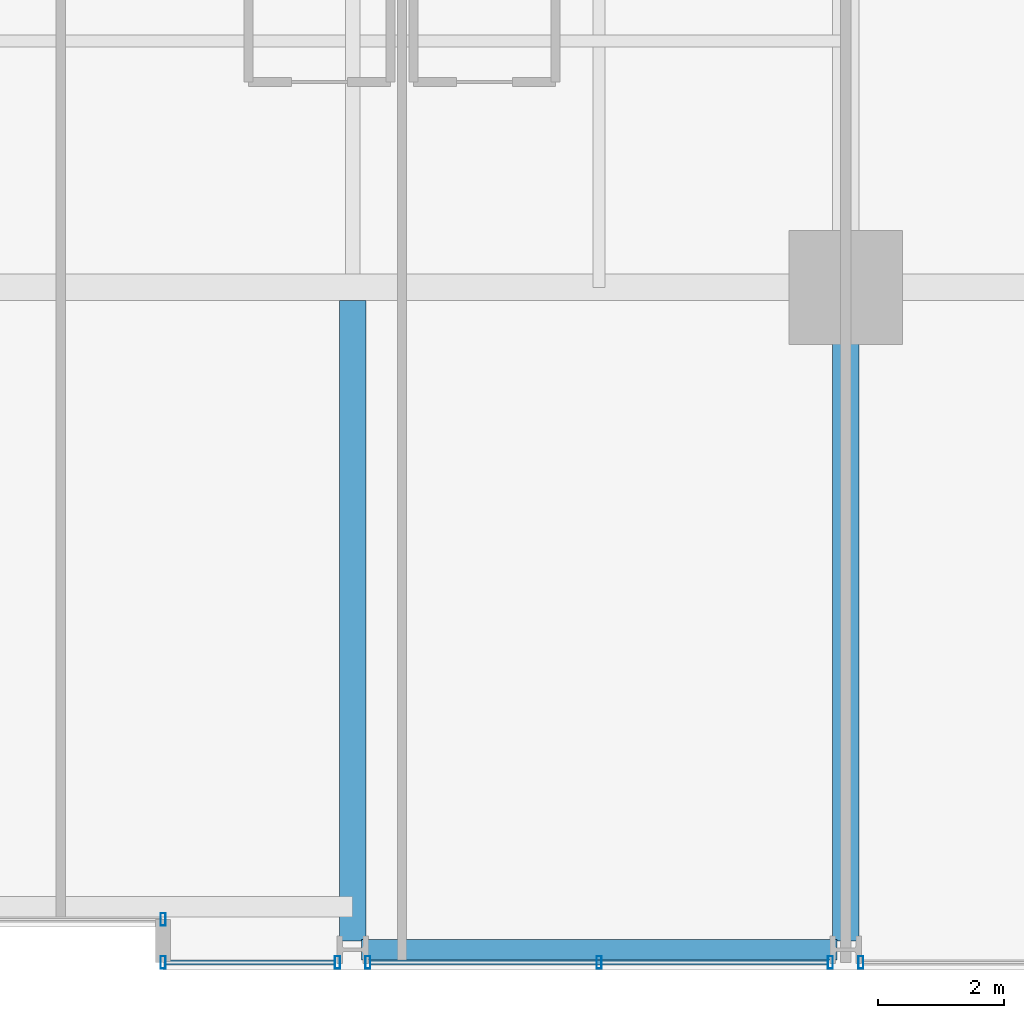
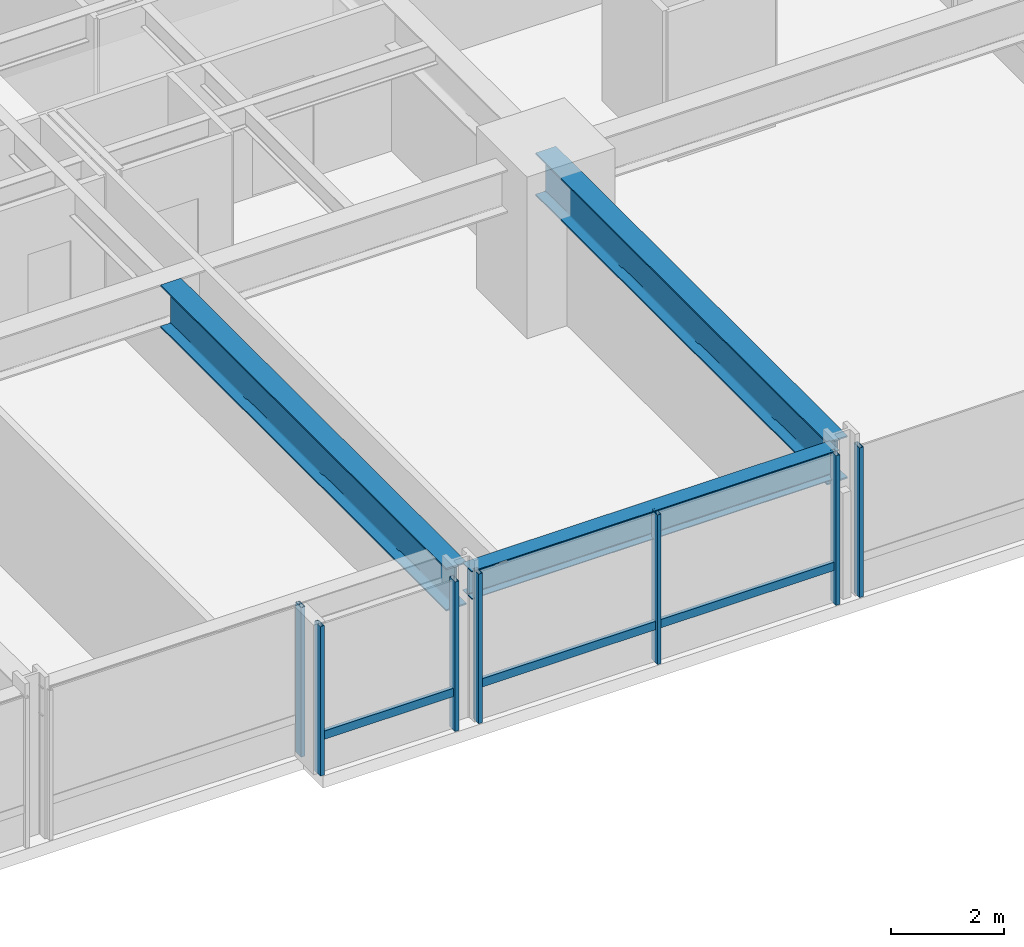
# One storey, part 11 of 39: 9 members, 3 beams, 4 elements without a shape of their own.
"""IFC4 building model written with IfcOpenShell, lengths in metres."""

from ifc_helpers import new_model, si_unit, direction, frame, origin, origin_2d, place, context, subcontext, project, spatial, hollow_rectangle, i_section, extrude, material, layer, layer_set, material_profile, profile_set, type_object, element, aggregate, save


model = new_model("IFC4")

# Units and contexts
model_context = context("Model", 3, precision=1e-05, world=origin(), true_north=direction((0.0, 1.0)))
body_context = subcontext(model_context, "Body", "Model", "MODEL_VIEW")
ifc_project = project(units=[si_unit("LENGTHUNIT", "METRE"), si_unit("AREAUNIT", "SQUARE_METRE"), si_unit("VOLUMEUNIT", "CUBIC_METRE"), si_unit("PLANEANGLEUNIT", "RADIAN"), si_unit("MASSUNIT", "GRAM", prefix="KILO")], contexts=[model_context])

# Site, building, storey
site_placement = place(None, origin())
site = spatial("IfcSite", under=ifc_project, at=site_placement, CompositionType="ELEMENT")
building_placement = place(site_placement, origin())
building = spatial("IfcBuilding", under=site, at=building_placement, Name="Drelvath Grand Hotel", CompositionType="ELEMENT")
storey_placement = place(building_placement, frame((0.0, 0.0, 54.199951171875)))
storey = spatial("IfcBuildingStorey", under=building, at=storey_placement, Name="L12", CompositionType="ELEMENT", Elevation=54.199951171875)

# Curtain wall, member
ifc_material_1 = material(Name="Warm Bronze Anodised Aluminium Frame", Category="aluminium")
ifc_layer = layer(ifc_material_1, 0.199951171875)
ifc_layer_set = layer_set([ifc_layer], Name="Warm Bronze Anodised Aluminium Frame")
curtain_wall_type = type_object("IfcCurtainWallType", Name="Stick Curtain Wall CW-02 Warm Bronze Low-Rise", PredefinedType="NOTDEFINED", material=ifc_layer_set)
curtain_wall_1_placement = place(storey_placement, origin())
curtain_wall_1 = element("IfcCurtainWall", 1, at=curtain_wall_1_placement, inside=storey, type_object=curtain_wall_type, Name="L12 CW-02 Curtain Wall CW02-L12-SE1", PredefinedType="NOTDEFINED")
ifc_material_profile_1 = material_profile(ifc_material_1, hollow_rectangle(XDim=0.074951171875, YDim=0.179931640625, WallThickness=0.0048828125, at=origin_2d()), Name="HSS180X75X5")
ifc_profile_set_1 = profile_set([ifc_material_profile_1], Name="Warm Bronze Anodised Aluminium Frame")
member_type_1 = type_object("IfcMemberType", Name="Curtain Wall Horizontal Transom CW-02 HSS180X75X5", PredefinedType="USERDEFINED", material=ifc_profile_set_1)
member_1_placement = place(storey_placement, frame((8.119140625, 0.1201171875, 0.81005859375), z_axis=(-1.0, 0.0, 0.0), x_axis=(0.0, -1.0, 0.0)))
member_1 = element("IfcMember", 2, at=member_1_placement, type_object=member_type_1, Name="CW02-L12-SE1 Sill Transom", ObjectType="TRANSOM", PredefinedType="USERDEFINED", context=body_context, shape_type="SweptSolid", body=[
    extrude(hollow_rectangle(XDim=0.074951171875, YDim=0.179931640625, WallThickness=0.0048828125, at=origin_2d()), origin(), (0.0, 0.0, 1.0), 2.67919921875),
])

curtain_wall_2_placement = place(storey_placement, origin())
curtain_wall_2 = element("IfcCurtainWall", 3, at=curtain_wall_2_placement, inside=storey, type_object=curtain_wall_type, Name="L12 CW-02 Curtain Wall CW02-L12-SE2", PredefinedType="NOTDEFINED")
member_2_placement = place(storey_placement, frame((15.919189453125, 0.1201171875, 0.81005859375), z_axis=(-1.0, 0.0, 0.0), x_axis=(0.0, -1.0, 0.0)))
member_2 = element("IfcMember", 4, at=member_2_placement, type_object=member_type_1, Name="CW02-L12-SE2 Sill Transom", ObjectType="TRANSOM", PredefinedType="USERDEFINED", context=body_context, shape_type="SweptSolid", body=[
    extrude(hollow_rectangle(XDim=0.074951171875, YDim=0.179931640625, WallThickness=0.0048828125, at=origin_2d()), origin(), (0.0, 0.0, 1.0), 7.23828125),
])

# Member
ifc_material_profile_2 = material_profile(ifc_material_1, hollow_rectangle(XDim=0.080078125, YDim=0.199951171875, WallThickness=0.0048828125, at=origin_2d()), Name="HSS200X80X5")
ifc_profile_set_2 = profile_set([ifc_material_profile_2], Name="Warm Bronze Anodised Aluminium Frame")
member_type_2 = type_object("IfcMemberType", Name="Curtain Wall Vertical Mullion CW-02 HSS200X80X5", PredefinedType="MULLION", material=ifc_profile_set_2)
member_3_placement = place(storey_placement, frame((8.1591796875, 0.1201171875, 0.0), z_axis=(0.0, 0.0, 1.0), x_axis=(1.0, 0.0, 0.0)))
member_3 = element("IfcMember", 5, at=member_3_placement, type_object=member_type_2, Name="CW02-L12-SE1 Mullion 1", PredefinedType="MULLION", context=body_context, shape_type="SweptSolid", body=[
    extrude(hollow_rectangle(XDim=0.080078125, YDim=0.199951171875, WallThickness=0.0048828125, at=origin_2d()), origin(), (0.0, 0.0, 1.0), 3.239990234375),
])

member_4_placement = place(storey_placement, frame((5.39990234375, 0.1201171875, 0.0), z_axis=(0.0, 0.0, 1.0), x_axis=(1.0, 0.0, 0.0)))
member_4 = element("IfcMember", 6, at=member_4_placement, type_object=member_type_2, Name="CW02-L12-SE1 Mullion 2", PredefinedType="MULLION", context=body_context, shape_type="SweptSolid", body=[
    extrude(hollow_rectangle(XDim=0.080078125, YDim=0.199951171875, WallThickness=0.0048828125, at=origin_2d()), origin(), (0.0, 0.0, 1.0), 3.239990234375),
])

aggregate(curtain_wall_1, [member_3, member_4, member_1])

member_5_placement = place(storey_placement, frame((15.958984375, 0.1201171875, 0.0), z_axis=(0.0, 0.0, 1.0), x_axis=(1.0, 0.0, 0.0)))
member_5 = element("IfcMember", 7, at=member_5_placement, type_object=member_type_2, Name="CW02-L12-SE2 Mullion 1", PredefinedType="MULLION", context=body_context, shape_type="SweptSolid", body=[
    extrude(hollow_rectangle(XDim=0.080078125, YDim=0.199951171875, WallThickness=0.0048828125, at=origin_2d()), origin(), (0.0, 0.0, 1.0), 3.239990234375),
])

member_6_placement = place(storey_placement, frame((12.300048828125, 0.1201171875, 0.0), z_axis=(0.0, 0.0, 1.0), x_axis=(1.0, 0.0, 0.0)))
member_6 = element("IfcMember", 8, at=member_6_placement, type_object=member_type_2, Name="CW02-L12-SE2 Mullion 2", PredefinedType="MULLION", context=body_context, shape_type="SweptSolid", body=[
    extrude(hollow_rectangle(XDim=0.080078125, YDim=0.199951171875, WallThickness=0.0048828125, at=origin_2d()), origin(), (0.0, 0.0, 1.0), 3.239990234375),
])

member_7_placement = place(storey_placement, frame((8.640869140625, 0.1201171875, 0.0), z_axis=(0.0, 0.0, 1.0), x_axis=(1.0, 0.0, 0.0)))
member_7 = element("IfcMember", 9, at=member_7_placement, type_object=member_type_2, Name="CW02-L12-SE2 Mullion 3", PredefinedType="MULLION", context=body_context, shape_type="SweptSolid", body=[
    extrude(hollow_rectangle(XDim=0.080078125, YDim=0.199951171875, WallThickness=0.0048828125, at=origin_2d()), origin(), (0.0, 0.0, 1.0), 3.239990234375),
])

aggregate(curtain_wall_2, [member_5, member_6, member_7, member_2])

# Curtain wall, member
curtain_wall_3_placement = place(storey_placement, origin())
curtain_wall_3 = element("IfcCurtainWall", 10, at=curtain_wall_3_placement, inside=storey, type_object=curtain_wall_type, Name="L12 CW-02 Curtain Wall CW02-L12-SE3", PredefinedType="NOTDEFINED")
member_8_placement = place(storey_placement, frame((16.44091796875, 0.1201171875, 0.0), z_axis=(0.0, 0.0, 1.0), x_axis=(1.0, 0.0, 0.0)))
member_8 = element("IfcMember", 11, at=member_8_placement, type_object=member_type_2, Name="CW02-L12-SE3 Mullion 3", PredefinedType="MULLION", context=body_context, shape_type="SweptSolid", body=[
    extrude(hollow_rectangle(XDim=0.080078125, YDim=0.199951171875, WallThickness=0.0048828125, at=origin_2d()), origin(), (0.0, 0.0, 1.0), 3.239990234375),
])
aggregate(curtain_wall_3, [member_8])

curtain_wall_4_placement = place(storey_placement, origin())
curtain_wall_4 = element("IfcCurtainWall", 12, at=curtain_wall_4_placement, inside=storey, type_object=curtain_wall_type, Name="L12 CW-02 Curtain Wall CW02-L12-SM2", PredefinedType="NOTDEFINED")
member_9_placement = place(storey_placement, frame((5.39990234375, 0.800048828125, 0.0), z_axis=(0.0, 0.0, 1.0), x_axis=(1.0, 0.0, 0.0)))
member_9 = element("IfcMember", 13, at=member_9_placement, type_object=member_type_2, Name="CW02-L12-SM2 Mullion 1", PredefinedType="MULLION", context=body_context, shape_type="SweptSolid", body=[
    extrude(hollow_rectangle(XDim=0.080078125, YDim=0.199951171875, WallThickness=0.0048828125, at=origin_2d()), origin(), (0.0, 0.0, 1.0), 3.239990234375),
])
aggregate(curtain_wall_4, [member_9])

# Beams
ifc_material_2 = material(Name="Steel ASTM A992 Gr 50", Category="steel")
ifc_material_profile_3 = material_profile(ifc_material_2, i_section(OverallWidth=0.323974609375, OverallDepth=0.611083984375, WebThickness=0.0126953125, FlangeThickness=0.01904296875, FilletRadius=0.02197265625, at=origin_2d()), Name="W24X104")
ifc_profile_set_3 = profile_set([ifc_material_profile_3], Name="Steel ASTM A992 Gr 50")
beam_type_1 = type_object("IfcBeamType", Name="Perimeter Spandrel Beam W24X104", PredefinedType="SPANDREL", material=ifc_profile_set_3)
beam_1_placement = place(storey_placement, frame((8.5400390625, 0.320068359375, 2.9345703125), z_axis=(1.0, 0.0, 0.0), x_axis=(0.0, 1.0, 0.0)))
element("IfcBeam", 14, at=beam_1_placement, inside=storey, type_object=beam_type_1, Name="L12 Spandrel South E", PredefinedType="SPANDREL", context=body_context, shape_type="SweptSolid", body=[
    extrude(i_section(OverallWidth=0.323974609375, OverallDepth=0.611083984375, WebThickness=0.0126953125, FlangeThickness=0.01904296875, FilletRadius=0.02197265625, at=origin_2d()), origin(), (0.0, 0.0, 1.0), 7.52001953125),
])
ifc_material_profile_4 = material_profile(ifc_material_2, i_section(OverallWidth=0.418212890625, OverallDepth=0.926513671875, WebThickness=0.019287109375, FlangeThickness=0.031982421875, FilletRadius=0.028076171875, at=origin_2d()), Name="W36X231")
ifc_profile_set_4 = profile_set([ifc_material_profile_4], Name="Steel ASTM A992 Gr 50")
beam_type_2 = type_object("IfcBeamType", Name="Primary Floor Girder W36X231", PredefinedType="BEAM", material=ifc_profile_set_4)
beam_2_placement = place(storey_placement, frame((16.199951171875, 0.4599609375, 2.77685546875), z_axis=(0.0, 1.0, 0.0), x_axis=(-1.0, 0.0, 0.0)))
element("IfcBeam", 15, at=beam_2_placement, inside=storey, type_object=beam_type_2, Name="L12 South Grid Girder 7", PredefinedType="BEAM", context=body_context, shape_type="SweptSolid", body=[
    extrude(i_section(OverallWidth=0.418212890625, OverallDepth=0.926513671875, WebThickness=0.019287109375, FlangeThickness=0.031982421875, FilletRadius=0.028076171875, at=origin_2d()), origin(), (0.0, 0.0, 1.0), 10.340087890625),
])
beam_3_placement = place(storey_placement, frame((8.39990234375, 0.4599609375, 2.77685546875), z_axis=(0.0, 1.0, 0.0), x_axis=(-1.0, 0.0, 0.0)))
element("IfcBeam", 16, at=beam_3_placement, inside=storey, type_object=beam_type_2, Name="L12 South Wing Girder 6", PredefinedType="BEAM", context=body_context, shape_type="SweptSolid", body=[
    extrude(i_section(OverallWidth=0.418212890625, OverallDepth=0.926513671875, WebThickness=0.019287109375, FlangeThickness=0.031982421875, FilletRadius=0.028076171875, at=origin_2d()), origin(), (0.0, 0.0, 1.0), 10.130859375),
])

save(model, "model.ifc")
